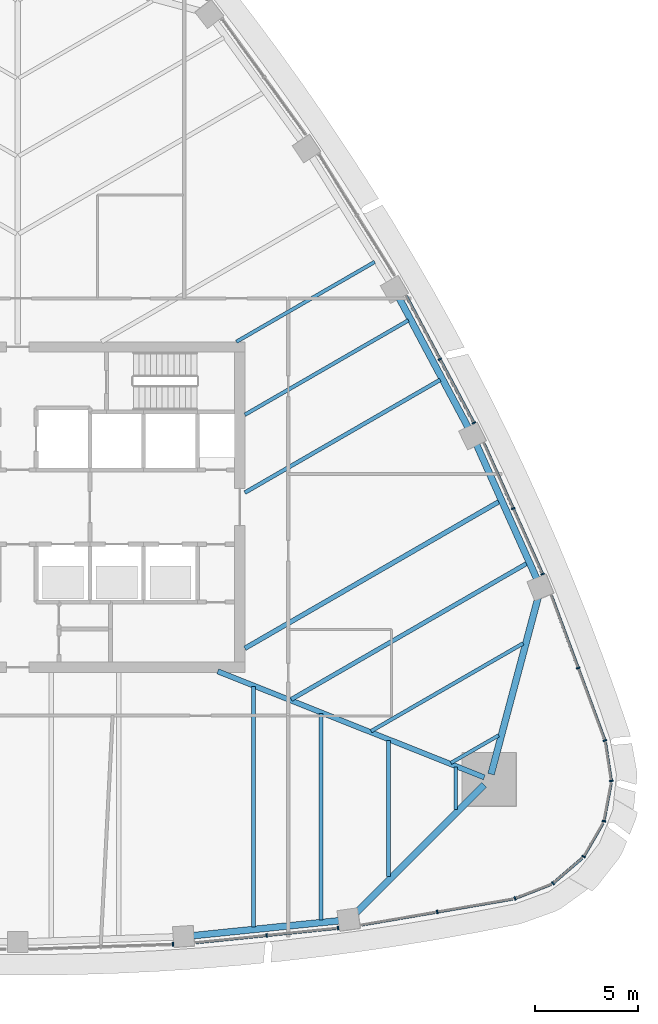
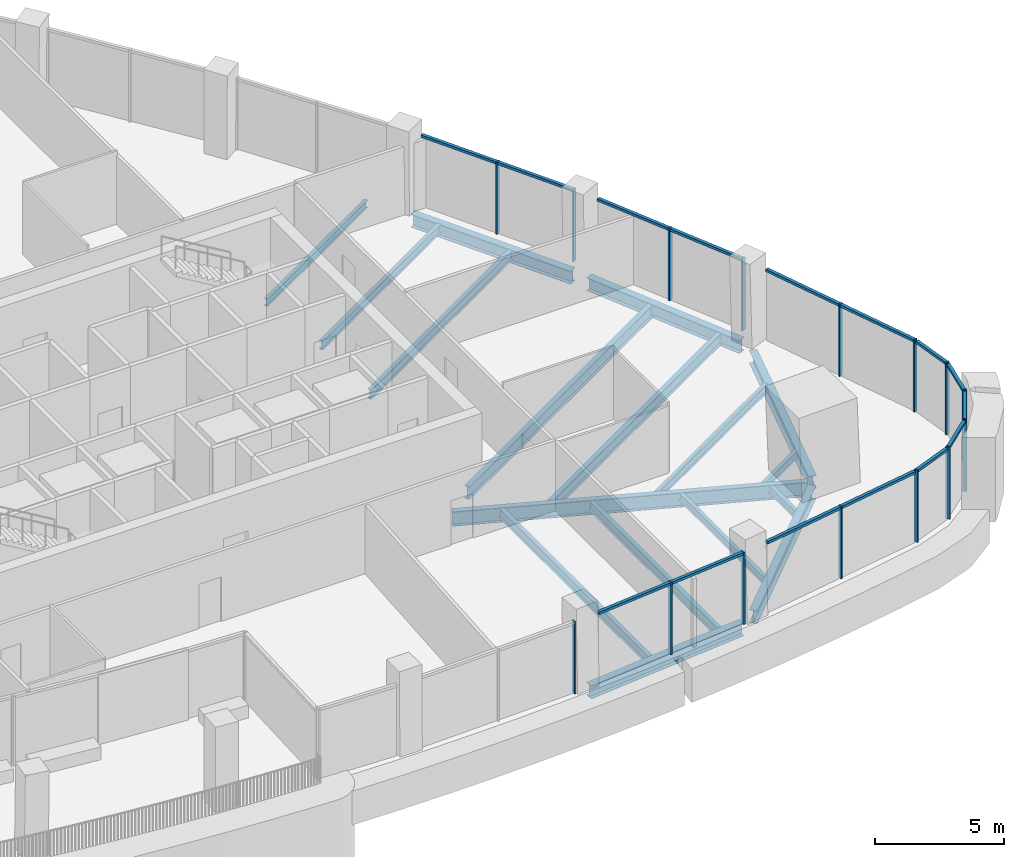
# One storey, part 4 of 18: 30 members, 17 beams, 11 elements without a shape of their own.
"""IFC4 building model written with IfcOpenShell, lengths in metres."""

import ifcopenshell
import ifcopenshell.guid

model = None  # the IFC model being written
_history = None  # IfcOwnerHistory: only IFC2X3 demands one
_inside = {}  # id of a spatial element -> (the spatial element, [elements in it])
_under = {}  # id of a project, library or spatial element -> (it, [spatial elements below it])
_declared = {}  # id of a project -> (the project, [libraries it declares])
_typed = {}  # id of a type object -> (the type object, [elements of that type])
_made_of = {}  # id of a material, layer set ... -> (it, [elements and type objects made of it])


def new_model(schema):
    """Start an empty IFC model of exactly this schema.

    Asked for "IFC4X3", IfcOpenShell would pick the latest addendum, in which some entities
    have other attributes; the version numbers below select the first issue.
    IFC2X3 requires an IfcOwnerHistory on every rooted entity: one is made here for all.
    """
    global model, _history
    if schema == "IFC4X3":
        model = ifcopenshell.file(schema_version=(4, 3, 0, 0))
    else:
        model = ifcopenshell.file(schema=schema)
    _inside.clear()
    _under.clear()
    _declared.clear()
    _typed.clear()
    _made_of.clear()
    _history = None
    if model.schema == "IFC2X3":
        org = make("IfcOrganization", Name="unknown")
        user = make(
            "IfcPersonAndOrganization",
            ThePerson=make("IfcPerson", FamilyName="unknown"),
            TheOrganization=org,
        )
        app = make(
            "IfcApplication",
            ApplicationDeveloper=org,
            Version="unknown",
            ApplicationFullName="unknown",
            ApplicationIdentifier="unknown",
        )
        _history = make(
            "IfcOwnerHistory",
            OwningUser=user,
            OwningApplication=app,
            ChangeAction="ADDED",
            CreationDate=0,
        )
    return model


def make(cls, **values):
    """One entity of the class cls with the attributes given. An attribute that is None is left unset."""
    return model.create_entity(
        cls, **{name: value for name, value in values.items() if value is not None}
    )


def rooted(cls, **values):
    """An entity with a GlobalId (a new one), such as an element, a storey or a relation."""
    return make(cls, GlobalId=ifcopenshell.guid.new(), OwnerHistory=_history, **values)


def si_unit(unit_type, name, prefix=None):
    """IfcSIUnit, for example si_unit("LENGTHUNIT", "METRE", prefix="MILLI")."""
    return make("IfcSIUnit", UnitType=unit_type, Prefix=prefix, Name=name)


def assignment(units):
    """IfcUnitAssignment: the units of a project."""
    return None if units is None else make("IfcUnitAssignment", Units=units)


def point(xyz):
    """IfcCartesianPoint."""
    return None if xyz is None else make("IfcCartesianPoint", Coordinates=xyz)


def direction(xyz):
    """IfcDirection."""
    return None if xyz is None else make("IfcDirection", DirectionRatios=xyz)


def frame(location, z_axis=None, x_axis=None):
    """IfcAxis2Placement3D, a coordinate frame: its origin and axes. An axis left out is left unset."""
    return make(
        "IfcAxis2Placement3D",
        Location=point(location),
        Axis=direction(z_axis),
        RefDirection=direction(x_axis),
    )


def frame_2d(location, x_axis=None):
    """IfcAxis2Placement2D, a coordinate frame in the plane: its origin and x axis."""
    return make(
        "IfcAxis2Placement2D", Location=point(location), RefDirection=direction(x_axis)
    )


def origin():
    """The frame at (0, 0, 0) with its axes left unset."""
    return frame((0.0, 0.0, 0.0))


def origin_2d():
    """The frame at (0, 0) in the plane with its x axis left unset."""
    return frame_2d((0.0, 0.0))


def place(relative_to, where):
    """IfcLocalPlacement: puts the frame where relative to a parent placement (None: the world)."""
    return make(
        "IfcLocalPlacement", PlacementRelTo=relative_to, RelativePlacement=where
    )


def context(
    kind, dimensions, precision=None, world=None, true_north=None, identifier=None
):
    """IfcGeometricRepresentationContext, for example the 3D "Model" context."""
    return make(
        "IfcGeometricRepresentationContext",
        ContextIdentifier=identifier,
        ContextType=kind,
        CoordinateSpaceDimension=dimensions,
        Precision=precision,
        WorldCoordinateSystem=world,
        TrueNorth=true_north,
    )


def subcontext(parent, identifier, kind, view, scale=None):
    """IfcGeometricRepresentationSubContext, for example "Body" below "Model"."""
    return make(
        "IfcGeometricRepresentationSubContext",
        ContextIdentifier=identifier,
        ContextType=kind,
        ParentContext=parent,
        TargetScale=scale,
        TargetView=view,
    )


def project(units=None, contexts=None):
    """IfcProject with its units and contexts."""
    return rooted(
        "IfcProject",
        Name="project",
        RepresentationContexts=contexts,
        UnitsInContext=assignment(units),
    )


def spatial(cls, under=None, at=None, **own):
    """A site, building, storey or space (cls), placed at a placement, below another one or the project."""
    s = rooted(cls, ObjectPlacement=at, **own)
    if under is not None:
        _under.setdefault(under.id(), (under, []))[1].append(s)
    return s


def profile(cls, at=None, kind="AREA", **sizes):
    """A parametric profile (cls). Its sizes go by their IFC names, for example OverallWidth=200.0."""
    return make(cls, ProfileType=kind, Position=at, **sizes)


def rectangle(**sizes):
    """IfcRectangleProfileDef."""
    return profile("IfcRectangleProfileDef", **sizes)


def i_section(**sizes):
    """IfcIShapeProfileDef."""
    return profile("IfcIShapeProfileDef", **sizes)


def extrude(swept, where, along, depth):
    """IfcExtrudedAreaSolid: the profile swept, set in the frame where, extruded along a direction by depth."""
    return make(
        "IfcExtrudedAreaSolid",
        SweptArea=swept,
        Position=where,
        ExtrudedDirection=direction(along),
        Depth=depth,
    )


def shape(context_of_items, identifier, shape_type, items):
    """IfcShapeRepresentation: the items that make up one representation, for example the "Body"."""
    return make(
        "IfcShapeRepresentation",
        ContextOfItems=context_of_items,
        RepresentationIdentifier=identifier,
        RepresentationType=shape_type,
        Items=items,
    )


def material(Name=None, Category=None):
    """IfcMaterial."""
    return make("IfcMaterial", Name=Name, Category=Category)


def layer(
    of_material, thickness, ventilated=None, Name=None, Category=None, Priority=None
):
    """IfcMaterialLayer: one layer of a wall or slab, of a material (None: an air gap)."""
    return make(
        "IfcMaterialLayer",
        Material=of_material,
        LayerThickness=thickness,
        IsVentilated=ventilated,
        Name=Name,
        Category=Category,
        Priority=Priority,
    )


def layer_set(layers, Name=None):
    """IfcMaterialLayerSet."""
    return make("IfcMaterialLayerSet", MaterialLayers=layers, LayerSetName=Name)


def material_profile(
    of_material, cross_section, Name=None, Category=None, Priority=None
):
    """IfcMaterialProfile: a cross section and its material."""
    return make(
        "IfcMaterialProfile",
        Name=Name,
        Material=of_material,
        Profile=cross_section,
        Priority=Priority,
        Category=Category,
    )


def profile_set(profiles, Name=None, composite=None):
    """IfcMaterialProfileSet."""
    return make(
        "IfcMaterialProfileSet",
        Name=Name,
        MaterialProfiles=profiles,
        CompositeProfile=composite,
    )


def made_of(thing, what):
    """Note that an element or type object is made of a material, layer set ...; save() writes the relation."""
    if what is not None:
        _made_of.setdefault(what.id(), (what, []))[1].append(thing)
    return thing


def type_object(cls, material=None, **own):
    """A type object (cls), such as IfcWallType, which elements share."""
    return made_of(rooted(cls, **own), material)


def element(
    cls,
    number,
    at=None,
    inside=None,
    cuts=None,
    type_object=None,
    material=None,
    context=None,
    identifier="Body",
    shape_type=None,
    held_by="IfcProductDefinitionShape",
    body=None,
    shapes=None,
    **own,
):
    """One element of the class cls, such as IfcWall. Its Tag is "e" and its number.

    at: its placement. inside: the storey or other place that contains it. cuts: it is an
    opening in that element (IfcRelVoidsElement). A single representation is given by context,
    identifier, shape_type and body (its items); several are given by shapes. held_by: the class
    of the entity that holds the representations. save() writes the other relations.
    """
    e = rooted(cls, Tag="e%d" % number, ObjectPlacement=at, **own)
    if body is not None:
        shapes = [shape(context, identifier, shape_type, body)]
    if shapes is not None:
        e.Representation = make(held_by, Representations=shapes)
    if inside is not None:
        _inside.setdefault(inside.id(), (inside, []))[1].append(e)
    if cuts is not None:
        rooted(
            "IfcRelVoidsElement", RelatingBuildingElement=cuts, RelatedOpeningElement=e
        )
    if type_object is not None:
        _typed.setdefault(type_object.id(), (type_object, []))[1].append(e)
    return made_of(e, material)


def aggregate(whole, parts):
    """IfcRelAggregates: a whole, such as a stair, and the parts it consists of."""
    return rooted("IfcRelAggregates", RelatingObject=whole, RelatedObjects=parts)


def save(model, path):
    """Write the relations noted so far, then the file.

    IfcRelAggregates (storeys below a building ...), IfcRelContainedInSpatialStructure (elements
    in a storey), IfcRelDefinesByType, IfcRelAssociatesMaterial and IfcRelDeclares: one each for
    every whole, place, type object, material and project.
    """
    for whole, parts in _under.values():
        aggregate(whole, parts)
    for where, things in _inside.values():
        rooted(
            "IfcRelContainedInSpatialStructure",
            RelatedElements=things,
            RelatingStructure=where,
        )
    for kind, things in _typed.values():
        rooted("IfcRelDefinesByType", RelatedObjects=things, RelatingType=kind)
    for what, things in _made_of.values():
        rooted("IfcRelAssociatesMaterial", RelatedObjects=things, RelatingMaterial=what)
    for by, libraries in _declared.values():
        rooted("IfcRelDeclares", RelatingContext=by, RelatedDefinitions=libraries)
    model.write(path)


model = new_model("IFC4")

# Units and contexts
model_context = context("Model", 3, precision=1e-05, world=origin(), true_north=direction((0.0, 1.0)))
body_context = subcontext(model_context, "Body", "Model", "MODEL_VIEW")
ifc_project = project(units=[si_unit("LENGTHUNIT", "METRE"), si_unit("AREAUNIT", "SQUARE_METRE"), si_unit("VOLUMEUNIT", "CUBIC_METRE"), si_unit("PLANEANGLEUNIT", "RADIAN"), si_unit("MASSUNIT", "GRAM", prefix="KILO")], contexts=[model_context])

# Site, building, storey
site_placement = place(None, origin())
site = spatial("IfcSite", under=ifc_project, at=site_placement, CompositionType="ELEMENT")
building_placement = place(site_placement, origin())
building = spatial("IfcBuilding", under=site, at=building_placement, Name="Sierra Prisma Convention Tower", CompositionType="ELEMENT")
storey_placement = place(building_placement, frame((0.0, 0.0, 205.800048828125)))
storey = spatial("IfcBuildingStorey", under=building, at=storey_placement, Name="L46", CompositionType="ELEMENT", Elevation=205.800048828125)

# Curtain wall, member
ifc_material_1 = material(Name="Aluminium and glass curtain wall", Category="aluminium")
ifc_layer = layer(ifc_material_1, 0.179931640625)
ifc_layer_set = layer_set([ifc_layer], Name="CW-1 Plain shaft curtain wall")
curtain_wall_type = type_object("IfcCurtainWallType", Name="CW-1 Plain shaft curtain wall", PredefinedType="NOTDEFINED", material=ifc_layer_set)
curtain_wall_1_placement = place(storey_placement, origin())
curtain_wall_1 = element("IfcCurtainWall", 1, at=curtain_wall_1_placement, inside=storey, type_object=curtain_wall_type, Name="CW-1 S4 L46", PredefinedType="NOTDEFINED")
ifc_material_2 = material(Name="Aluminium 6063-T6 bronze anodised", Category="aluminium")
ifc_material_profile_1 = material_profile(ifc_material_2, rectangle(XDim=0.179931640625, YDim=0.070068359375, at=origin_2d()), Name="ALU MULLION 70x180")
ifc_profile_set_1 = profile_set([ifc_material_profile_1], Name="Aluminium 6063-T6 bronze anodised")
member_type_1 = type_object("IfcMemberType", Name="CW mullion bronze", PredefinedType="MULLION", material=ifc_profile_set_1)
member_1_placement = place(storey_placement, frame((7.516845703125, -21.166259765625, 0.0), z_axis=(0.0, 0.0, 1.0), x_axis=(-0.033942935708, 0.999423772539, 0.0)))
member_1 = element("IfcMember", 2, at=member_1_placement, type_object=member_type_1, Name="CW-1 mullion S4.3", PredefinedType="MULLION", context=body_context, shape_type="SweptSolid", body=[
    extrude(rectangle(XDim=0.179931640625, YDim=0.070068359375, at=origin_2d()), origin(), (0.0, 0.0, 1.0), 3.39990234375),
])
aggregate(curtain_wall_1, [member_1])

# Curtain wall, members
curtain_wall_2_placement = place(storey_placement, origin())
curtain_wall_2 = element("IfcCurtainWall", 3, at=curtain_wall_2_placement, inside=storey, type_object=curtain_wall_type, Name="CW-1 S5 L46", PredefinedType="NOTDEFINED")
member_2_placement = place(storey_placement, frame((12.05517578125, -20.73974609375, 0.0), z_axis=(0.0, 0.0, 1.0), x_axis=(-0.101672381373, 0.994817936542, 0.0)))
member_2 = element("IfcMember", 4, at=member_2_placement, type_object=member_type_1, Name="CW-1 mullion S5.2", PredefinedType="MULLION", context=body_context, shape_type="SweptSolid", body=[
    extrude(rectangle(XDim=0.179931640625, YDim=0.070068359375, at=origin_2d()), origin(), (0.0, 0.0, 1.0), 3.39990234375),
])
member_3_placement = place(storey_placement, frame((15.51416015625, -20.38623046875, 0.0), z_axis=(0.0, 0.0, 1.0), x_axis=(-0.101672381373, 0.994817936542, 0.0)))
member_3 = element("IfcMember", 5, at=member_3_placement, type_object=member_type_1, Name="CW-1 mullion S5.3", PredefinedType="MULLION", context=body_context, shape_type="SweptSolid", body=[
    extrude(rectangle(XDim=0.179931640625, YDim=0.070068359375, at=origin_2d()), origin(), (0.0, 0.0, 1.0), 3.39990234375),
])

# Curtain wall, member
curtain_wall_3_placement = place(storey_placement, origin())
curtain_wall_3 = element("IfcCurtainWall", 6, at=curtain_wall_3_placement, inside=storey, type_object=curtain_wall_type, Name="CW-1 S6 L46", PredefinedType="NOTDEFINED")
member_4_placement = place(storey_placement, frame((20.3134765625, -19.603515625, 0.0), z_axis=(0.0, 0.0, 1.0), x_axis=(-0.168933270748, 0.985627490503, 0.0)))
member_4 = element("IfcMember", 7, at=member_4_placement, type_object=member_type_1, Name="CW-1 mullion S6.2", PredefinedType="MULLION", context=body_context, shape_type="SweptSolid", body=[
    extrude(rectangle(XDim=0.179931640625, YDim=0.070068359375, at=origin_2d()), origin(), (0.0, 0.0, 1.0), 3.39990234375),
])

curtain_wall_4_placement = place(storey_placement, origin())
curtain_wall_4 = element("IfcCurtainWall", 8, at=curtain_wall_4_placement, inside=storey, type_object=curtain_wall_type, Name="CW-1 SE1 L46", PredefinedType="NOTDEFINED")
member_5_placement = place(storey_placement, frame((24.075927734375, -18.951416015625, 0.0), z_axis=(0.0, 0.0, 1.0), x_axis=(-0.363849089261, 0.93145791115, 0.0)))
member_5 = element("IfcMember", 9, at=member_5_placement, type_object=member_type_1, Name="CW-1 mullion SE1.1", PredefinedType="MULLION", context=body_context, shape_type="SweptSolid", body=[
    extrude(rectangle(XDim=0.179931640625, YDim=0.070068359375, at=origin_2d()), origin(), (0.0, 0.0, 1.0), 3.39990234375),
])

curtain_wall_5_placement = place(storey_placement, origin())
curtain_wall_5 = element("IfcCurtainWall", 10, at=curtain_wall_5_placement, inside=storey, type_object=curtain_wall_type, Name="CW-1 SE2 L46", PredefinedType="NOTDEFINED")
member_6_placement = place(storey_placement, frame((25.9130859375, -18.221435546875, 0.0), z_axis=(0.0, 0.0, 1.0), x_axis=(-0.651679982386, 0.758494034622, 0.0)))
member_6 = element("IfcMember", 11, at=member_6_placement, type_object=member_type_1, Name="CW-1 mullion SE2.1", PredefinedType="MULLION", context=body_context, shape_type="SweptSolid", body=[
    extrude(rectangle(XDim=0.179931640625, YDim=0.070068359375, at=origin_2d()), origin(), (0.0, 0.0, 1.0), 3.39990234375),
])

curtain_wall_6_placement = place(storey_placement, origin())
curtain_wall_6 = element("IfcCurtainWall", 12, at=curtain_wall_6_placement, inside=storey, type_object=curtain_wall_type, Name="CW-1 SE3 L46", PredefinedType="NOTDEFINED")
member_7_placement = place(storey_placement, frame((27.40478515625, -16.92431640625, 0.0), z_axis=(0.0, 0.0, 1.0), x_axis=(-0.866025403784, 0.5, 0.0)))
member_7 = element("IfcMember", 13, at=member_7_placement, type_object=member_type_1, Name="CW-1 mullion SE3.1", PredefinedType="MULLION", context=body_context, shape_type="SweptSolid", body=[
    extrude(rectangle(XDim=0.179931640625, YDim=0.070068359375, at=origin_2d()), origin(), (0.0, 0.0, 1.0), 3.39990234375),
])

curtain_wall_7_placement = place(storey_placement, origin())
curtain_wall_7 = element("IfcCurtainWall", 14, at=curtain_wall_7_placement, inside=storey, type_object=curtain_wall_type, Name="CW-1 SE4 L46", PredefinedType="NOTDEFINED")
member_8_placement = place(storey_placement, frame((28.38330078125, -15.20654296875, 0.0), z_axis=(0.0, 0.0, 1.0), x_axis=(-0.982715093795, 0.185124402573, 0.0)))
member_8 = element("IfcMember", 15, at=member_8_placement, type_object=member_type_1, Name="CW-1 mullion SE4.1", PredefinedType="MULLION", context=body_context, shape_type="SweptSolid", body=[
    extrude(rectangle(XDim=0.179931640625, YDim=0.070068359375, at=origin_2d()), origin(), (0.0, 0.0, 1.0), 3.39990234375),
])

curtain_wall_8_placement = place(storey_placement, origin())
curtain_wall_8 = element("IfcCurtainWall", 16, at=curtain_wall_8_placement, inside=storey, type_object=curtain_wall_type, Name="CW-1 SE5 L46", PredefinedType="NOTDEFINED")
member_9_placement = place(storey_placement, frame((28.73779296875, -13.26171875, 0.0), z_axis=(0.0, 0.0, 1.0), x_axis=(-0.988590758242, -0.150626401132, 0.0)))
member_9 = element("IfcMember", 17, at=member_9_placement, type_object=member_type_1, Name="CW-1 mullion SE5.1", PredefinedType="MULLION", context=body_context, shape_type="SweptSolid", body=[
    extrude(rectangle(XDim=0.179931640625, YDim=0.070068359375, at=origin_2d()), origin(), (0.0, 0.0, 1.0), 3.39990234375),
])

# Curtain wall, members
curtain_wall_9_placement = place(storey_placement, origin())
curtain_wall_9 = element("IfcCurtainWall", 18, at=curtain_wall_9_placement, inside=storey, type_object=curtain_wall_type, Name="CW-1 NE1 L46", PredefinedType="NOTDEFINED")
member_10_placement = place(storey_placement, frame((28.432861328125, -11.30712890625, 0.0), z_axis=(0.0, 0.0, 1.0), x_axis=(-0.938045080817, -0.34651324124, 0.0)))
member_10 = element("IfcMember", 19, at=member_10_placement, type_object=member_type_1, Name="CW-1 mullion NE1.1", PredefinedType="MULLION", context=body_context, shape_type="SweptSolid", body=[
    extrude(rectangle(XDim=0.179931640625, YDim=0.070068359375, at=origin_2d()), origin(), (0.0, 0.0, 1.0), 3.39990234375),
])
member_11_placement = place(storey_placement, frame((27.1337890625, -7.790283203125, 0.0), z_axis=(0.0, 0.0, 1.0), x_axis=(-0.938045080817, -0.34651324124, 0.0)))
member_11 = element("IfcMember", 20, at=member_11_placement, type_object=member_type_1, Name="CW-1 mullion NE1.2", PredefinedType="MULLION", context=body_context, shape_type="SweptSolid", body=[
    extrude(rectangle(XDim=0.179931640625, YDim=0.070068359375, at=origin_2d()), origin(), (0.0, 0.0, 1.0), 3.39990234375),
])

curtain_wall_10_placement = place(storey_placement, origin())
curtain_wall_10 = element("IfcCurtainWall", 21, at=curtain_wall_10_placement, inside=storey, type_object=curtain_wall_type, Name="CW-1 NE2 L46", PredefinedType="NOTDEFINED")
member_12_placement = place(storey_placement, frame((25.412109375, -3.242919921875, 0.0), z_axis=(0.0, 0.0, 1.0), x_axis=(-0.912373795873, -0.409358103138, 0.0)))
member_12 = element("IfcMember", 22, at=member_12_placement, type_object=member_type_1, Name="CW-1 mullion NE2.1", PredefinedType="MULLION", context=body_context, shape_type="SweptSolid", body=[
    extrude(rectangle(XDim=0.179931640625, YDim=0.070068359375, at=origin_2d()), origin(), (0.0, 0.0, 1.0), 3.39990234375),
])
member_13_placement = place(storey_placement, frame((23.98876953125, -0.0703125, 0.0), z_axis=(0.0, 0.0, 1.0), x_axis=(-0.912373795873, -0.409358103138, 0.0)))
member_13 = element("IfcMember", 23, at=member_13_placement, type_object=member_type_1, Name="CW-1 mullion NE2.2", PredefinedType="MULLION", context=body_context, shape_type="SweptSolid", body=[
    extrude(rectangle(XDim=0.179931640625, YDim=0.070068359375, at=origin_2d()), origin(), (0.0, 0.0, 1.0), 3.39990234375),
])

curtain_wall_11_placement = place(storey_placement, origin())
curtain_wall_11 = element("IfcCurtainWall", 24, at=curtain_wall_11_placement, inside=storey, type_object=curtain_wall_type, Name="CW-1 NE3 L46", PredefinedType="NOTDEFINED")
member_14_placement = place(storey_placement, frame((22.0888671875, 4.0732421875, 0.0), z_axis=(0.0, 0.0, 1.0), x_axis=(-0.882497844018, -0.470316441668, 0.0)))
member_14 = element("IfcMember", 25, at=member_14_placement, type_object=member_type_1, Name="CW-1 mullion NE3.1", PredefinedType="MULLION", context=body_context, shape_type="SweptSolid", body=[
    extrude(rectangle(XDim=0.179931640625, YDim=0.070068359375, at=origin_2d()), origin(), (0.0, 0.0, 1.0), 3.39990234375),
])
member_15_placement = place(storey_placement, frame((20.446044921875, 7.15576171875, 0.0), z_axis=(0.0, 0.0, 1.0), x_axis=(-0.882497844018, -0.470316441668, 0.0)))
member_15 = element("IfcMember", 26, at=member_15_placement, type_object=member_type_1, Name="CW-1 mullion NE3.2", PredefinedType="MULLION", context=body_context, shape_type="SweptSolid", body=[
    extrude(rectangle(XDim=0.179931640625, YDim=0.070068359375, at=origin_2d()), origin(), (0.0, 0.0, 1.0), 3.39990234375),
])

# Member
ifc_material_3 = material(Name="Aluminium 6063-T6 bronze anodised", Category="aluminium")
ifc_material_profile_2 = material_profile(ifc_material_3, rectangle(XDim=0.139892578125, YDim=0.1201171875, at=origin_2d()), Name="ALU TRANSOM 120x140")
ifc_profile_set_2 = profile_set([ifc_material_profile_2], Name="Aluminium 6063-T6 bronze anodised")
member_type_2 = type_object("IfcMemberType", Name="CW transom bronze", PredefinedType="USERDEFINED", material=ifc_profile_set_2)
member_16_placement = place(storey_placement, frame((8.630859375, -21.089599609375, 3.33984375), z_axis=(0.994816996798, 0.101681575917, 0.0), x_axis=(-0.101681575917, 0.994816996798, 0.0)))
member_16 = element("IfcMember", 27, at=member_16_placement, type_object=member_type_2, Name="CW-1 transom S5.1", ObjectType="TRANSOM", PredefinedType="USERDEFINED", context=body_context, shape_type="SweptSolid", body=[
    extrude(rectangle(XDim=0.139892578125, YDim=0.1201171875, at=origin_2d()), origin(), (0.0, 0.0, 1.0), 3.406982421875),
])

member_17_placement = place(storey_placement, frame((12.090087890625, -20.736083984375, 3.33984375), z_axis=(0.994816996798, 0.101681575917, 0.0), x_axis=(-0.101681575917, 0.994816996798, 0.0)))
member_17 = element("IfcMember", 28, at=member_17_placement, type_object=member_type_2, Name="CW-1 transom S5.2", ObjectType="TRANSOM", PredefinedType="USERDEFINED", context=body_context, shape_type="SweptSolid", body=[
    extrude(rectangle(XDim=0.139892578125, YDim=0.1201171875, at=origin_2d()), origin(), (0.0, 0.0, 1.0), 3.406982421875),
])

aggregate(curtain_wall_2, [member_2, member_3, member_16, member_17])

member_18_placement = place(storey_placement, frame((16.652587890625, -20.23095703125, 3.33984375), z_axis=(0.985624780646, 0.168949080423, 0.0), x_axis=(-0.168949080423, 0.985624780646, 0.0)))
member_18 = element("IfcMember", 29, at=member_18_placement, type_object=member_type_2, Name="CW-1 transom S6.1", ObjectType="TRANSOM", PredefinedType="USERDEFINED", context=body_context, shape_type="SweptSolid", body=[
    extrude(rectangle(XDim=0.139892578125, YDim=0.1201171875, at=origin_2d()), origin(), (0.0, 0.0, 1.0), 3.67919921875),
])

member_19_placement = place(storey_placement, frame((20.347900390625, -19.59765625, 3.33984375), z_axis=(0.985626674588, 0.168938031069, 0.0), x_axis=(-0.168938031069, 0.985626674588, 0.0)))
member_19 = element("IfcMember", 30, at=member_19_placement, type_object=member_type_2, Name="CW-1 transom S6.2", ObjectType="TRANSOM", PredefinedType="USERDEFINED", context=body_context, shape_type="SweptSolid", body=[
    extrude(rectangle(XDim=0.139892578125, YDim=0.1201171875, at=origin_2d()), origin(), (0.0, 0.0, 1.0), 3.679443359375),
])

aggregate(curtain_wall_3, [member_4, member_18, member_19])

member_20_placement = place(storey_placement, frame((24.1083984375, -18.938720703125, 3.33984375), z_axis=(0.931440475848, 0.363893720681, 0.0), x_axis=(-0.363893720681, 0.931440475848, 0.0)))
member_20 = element("IfcMember", 31, at=member_20_placement, type_object=member_type_2, Name="CW-1 transom SE1.1", ObjectType="TRANSOM", PredefinedType="USERDEFINED", context=body_context, shape_type="SweptSolid", body=[
    extrude(rectangle(XDim=0.139892578125, YDim=0.1201171875, at=origin_2d()), origin(), (0.0, 0.0, 1.0), 1.8388671875),
])

aggregate(curtain_wall_4, [member_5, member_20])

member_21_placement = place(storey_placement, frame((25.939453125, -18.198486328125, 3.33984375), z_axis=(0.758525097638, 0.651643826222, 0.0), x_axis=(-0.651643826222, 0.758525097638, 0.0)))
member_21 = element("IfcMember", 32, at=member_21_placement, type_object=member_type_2, Name="CW-1 transom SE2.1", ObjectType="TRANSOM", PredefinedType="USERDEFINED", context=body_context, shape_type="SweptSolid", body=[
    extrude(rectangle(XDim=0.139892578125, YDim=0.1201171875, at=origin_2d()), origin(), (0.0, 0.0, 1.0), 1.8388671875),
])

aggregate(curtain_wall_5, [member_6, member_21])

member_22_placement = place(storey_placement, frame((27.42236328125, -16.89404296875, 3.33984375), z_axis=(0.499994443168, 0.866028611999, 0.0), x_axis=(-0.866028611999, 0.499994443168, 0.0)))
member_22 = element("IfcMember", 33, at=member_22_placement, type_object=member_type_2, Name="CW-1 transom SE3.1", ObjectType="TRANSOM", PredefinedType="USERDEFINED", context=body_context, shape_type="SweptSolid", body=[
    extrude(rectangle(XDim=0.139892578125, YDim=0.1201171875, at=origin_2d()), origin(), (0.0, 0.0, 1.0), 1.8388671875),
])

aggregate(curtain_wall_6, [member_7, member_22])

member_23_placement = place(storey_placement, frame((28.3896484375, -15.172119140625, 3.33984375), z_axis=(0.185202255127, 0.982700424695, 0.0), x_axis=(-0.982700424695, 0.185202255127, 0.0)))
member_23 = element("IfcMember", 34, at=member_23_placement, type_object=member_type_2, Name="CW-1 transom SE4.1", ObjectType="TRANSOM", PredefinedType="USERDEFINED", context=body_context, shape_type="SweptSolid", body=[
    extrude(rectangle(XDim=0.139892578125, YDim=0.1201171875, at=origin_2d()), origin(), (0.0, 0.0, 1.0), 1.8388671875),
])

aggregate(curtain_wall_7, [member_8, member_23])

member_24_placement = place(storey_placement, frame((28.732666015625, -13.22705078125, 3.33984375), z_axis=(-0.15069023229, 0.988581030514, 0.0), x_axis=(-0.988581030514, -0.15069023229, 0.0)))
member_24 = element("IfcMember", 35, at=member_24_placement, type_object=member_type_2, Name="CW-1 transom SE5.1", ObjectType="TRANSOM", PredefinedType="USERDEFINED", context=body_context, shape_type="SweptSolid", body=[
    extrude(rectangle(XDim=0.139892578125, YDim=0.1201171875, at=origin_2d()), origin(), (0.0, 0.0, 1.0), 1.8388671875),
])

aggregate(curtain_wall_8, [member_9, member_24])

member_25_placement = place(storey_placement, frame((28.4208984375, -11.2744140625, 3.33984375), z_axis=(-0.346501646582, 0.938049363795, 0.0), x_axis=(-0.938049363795, -0.346501646582, 0.0)))
member_25 = element("IfcMember", 36, at=member_25_placement, type_object=member_type_2, Name="CW-1 transom NE1.1", ObjectType="TRANSOM", PredefinedType="USERDEFINED", context=body_context, shape_type="SweptSolid", body=[
    extrude(rectangle(XDim=0.139892578125, YDim=0.1201171875, at=origin_2d()), origin(), (0.0, 0.0, 1.0), 3.679443359375),
])

member_26_placement = place(storey_placement, frame((27.12158203125, -7.75732421875, 3.33984375), z_axis=(-0.346501646582, 0.938049363795, 0.0), x_axis=(-0.938049363795, -0.346501646582, 0.0)))
member_26 = element("IfcMember", 37, at=member_26_placement, type_object=member_type_2, Name="CW-1 transom NE1.2", ObjectType="TRANSOM", PredefinedType="USERDEFINED", context=body_context, shape_type="SweptSolid", body=[
    extrude(rectangle(XDim=0.139892578125, YDim=0.1201171875, at=origin_2d()), origin(), (0.0, 0.0, 1.0), 3.679443359375),
])

aggregate(curtain_wall_9, [member_10, member_11, member_25, member_26])

member_27_placement = place(storey_placement, frame((25.397705078125, -3.2109375, 3.33984375), z_axis=(-0.409360376146, 0.912372776031, 0.0), x_axis=(-0.912372776031, -0.409360376146, 0.0)))
member_27 = element("IfcMember", 38, at=member_27_placement, type_object=member_type_2, Name="CW-1 transom NE2.1", ObjectType="TRANSOM", PredefinedType="USERDEFINED", context=body_context, shape_type="SweptSolid", body=[
    extrude(rectangle(XDim=0.139892578125, YDim=0.1201171875, at=origin_2d()), origin(), (0.0, 0.0, 1.0), 3.4072265625),
])

member_28_placement = place(storey_placement, frame((23.974365234375, -0.03857421875, 3.33984375), z_axis=(-0.409360376146, 0.912372776031, 0.0), x_axis=(-0.912372776031, -0.409360376146, 0.0)))
member_28 = element("IfcMember", 39, at=member_28_placement, type_object=member_type_2, Name="CW-1 transom NE2.2", ObjectType="TRANSOM", PredefinedType="USERDEFINED", context=body_context, shape_type="SweptSolid", body=[
    extrude(rectangle(XDim=0.139892578125, YDim=0.1201171875, at=origin_2d()), origin(), (0.0, 0.0, 1.0), 3.4072265625),
])

aggregate(curtain_wall_10, [member_12, member_13, member_27, member_28])

member_29_placement = place(storey_placement, frame((22.072509765625, 4.10400390625, 3.33984375), z_axis=(-0.470340208798, 0.882485177206, 0.0), x_axis=(-0.882485177206, -0.470340208798, 0.0)))
member_29 = element("IfcMember", 40, at=member_29_placement, type_object=member_type_2, Name="CW-1 transom NE3.1", ObjectType="TRANSOM", PredefinedType="USERDEFINED", context=body_context, shape_type="SweptSolid", body=[
    extrude(rectangle(XDim=0.139892578125, YDim=0.1201171875, at=origin_2d()), origin(), (0.0, 0.0, 1.0), 3.42333984375),
])

member_30_placement = place(storey_placement, frame((20.429443359375, 7.186767578125, 3.33984375), z_axis=(-0.470284665202, 0.882514778163, 0.0), x_axis=(-0.882514778163, -0.470284665202, 0.0)))
member_30 = element("IfcMember", 41, at=member_30_placement, type_object=member_type_2, Name="CW-1 transom NE3.2", ObjectType="TRANSOM", PredefinedType="USERDEFINED", context=body_context, shape_type="SweptSolid", body=[
    extrude(rectangle(XDim=0.139892578125, YDim=0.1201171875, at=origin_2d()), origin(), (0.0, 0.0, 1.0), 3.423095703125),
])

aggregate(curtain_wall_11, [member_14, member_15, member_29, member_30])

# Beams
ifc_material_4 = material(Name="Steel ASTM A992 Gr 50", Category="steel")
ifc_material_profile_3 = material_profile(ifc_material_4, i_section(OverallWidth=0.172119140625, OverallDepth=0.35791015625, WebThickness=0.0078125, FlangeThickness=0.01318359375, at=origin_2d()), Name="W360x57")
ifc_profile_set_3 = profile_set([ifc_material_profile_3], Name="Steel ASTM A992 Gr 50")
beam_type_1 = type_object("IfcBeamType", Name="Floor joist W360x57", PredefinedType="JOIST", material=ifc_profile_set_3)
beam_1_placement = place(storey_placement, frame((17.95458984375, -17.8955078125, -0.3291015625), z_axis=(0.0, 1.0, 0.0), x_axis=(-1.0, 0.0, 0.0)))
element("IfcBeam", 42, at=beam_1_placement, inside=storey, type_object=beam_type_1, Name="Floor joist L46 S13", PredefinedType="JOIST", context=body_context, shape_type="SweptSolid", body=[
    extrude(i_section(OverallWidth=0.172119140625, OverallDepth=0.35791015625, WebThickness=0.0078125, FlangeThickness=0.01318359375, at=origin_2d()), origin(), (0.0, 0.0, 1.0), 6.59619140625),
])
beam_2_placement = place(storey_placement, frame((21.218994140625, -14.640869140625, -0.3291015625), z_axis=(0.0, 1.0, 0.0), x_axis=(-1.0, 0.0, 0.0)))
element("IfcBeam", 43, at=beam_2_placement, inside=storey, type_object=beam_type_1, Name="Floor joist L46 S14", PredefinedType="JOIST", context=body_context, shape_type="SweptSolid", body=[
    extrude(i_section(OverallWidth=0.172119140625, OverallDepth=0.35791015625, WebThickness=0.0078125, FlangeThickness=0.01318359375, at=origin_2d()), origin(), (0.0, 0.0, 1.0), 2.04248046875),
])
beam_3_placement = place(storey_placement, frame((23.288818359375, -11.0556640625, -0.3291015625), z_axis=(-0.866013662025, -0.500020336772, 0.0), x_axis=(0.500020336772, -0.866013662025, 0.0)))
element("IfcBeam", 44, at=beam_3_placement, inside=storey, type_object=beam_type_1, Name="Floor joist L46 NE01", PredefinedType="JOIST", context=body_context, shape_type="SweptSolid", body=[
    extrude(i_section(OverallWidth=0.172119140625, OverallDepth=0.35791015625, WebThickness=0.0078125, FlangeThickness=0.01318359375, at=origin_2d()), origin(), (0.0, 0.0, 1.0), 2.67236328125),
])
beam_4_placement = place(storey_placement, frame((17.286865234375, 11.865234375, -0.3291015625), z_axis=(-0.866026758741, -0.499997653139, 0.0), x_axis=(0.499997653139, -0.866026758741, 0.0)))
element("IfcBeam", 45, at=beam_4_placement, inside=storey, type_object=beam_type_1, Name="Floor joist L46 NE08", PredefinedType="JOIST", context=body_context, shape_type="SweptSolid", body=[
    extrude(i_section(OverallWidth=0.172119140625, OverallDepth=0.35791015625, WebThickness=0.0078125, FlangeThickness=0.01318359375, at=origin_2d()), origin(), (0.0, 0.0, 1.0), 7.73046875),
])
ifc_material_5 = material(Name="Steel ASTM A992 Gr 50", Category="steel")
ifc_material_profile_4 = material_profile(ifc_material_5, i_section(OverallWidth=0.177978515625, OverallDepth=0.406982421875, WebThickness=0.0078125, FlangeThickness=0.0126953125, at=origin_2d()), Name="W410x60")
ifc_profile_set_4 = profile_set([ifc_material_profile_4], Name="Steel ASTM A992 Gr 50")
beam_type_2 = type_object("IfcBeamType", Name="Floor joist W410x60", PredefinedType="JOIST", material=ifc_profile_set_4)
beam_5_placement = place(storey_placement, frame((24.475341796875, -6.601318359375, -0.353515625), z_axis=(-0.866033577695, -0.499985842104, 0.0), x_axis=(0.499985842104, -0.866033577695, 0.0)))
element("IfcBeam", 46, at=beam_5_placement, inside=storey, type_object=beam_type_2, Name="Floor joist L46 NE02", PredefinedType="JOIST", context=body_context, shape_type="SweptSolid", body=[
    extrude(i_section(OverallWidth=0.177978515625, OverallDepth=0.406982421875, WebThickness=0.0078125, FlangeThickness=0.0126953125, at=origin_2d()), origin(), (0.0, 0.0, 1.0), 8.505126953125),
])
beam_6_placement = place(storey_placement, frame((18.9189453125, 9.0380859375, -0.353515625), z_axis=(-0.866024633014, -0.500001335012, 0.0), x_axis=(0.500001335012, -0.866024633014, 0.0)))
element("IfcBeam", 47, at=beam_6_placement, inside=storey, type_object=beam_type_2, Name="Floor joist L46 NE07", PredefinedType="JOIST", context=body_context, shape_type="SweptSolid", body=[
    extrude(i_section(OverallWidth=0.177978515625, OverallDepth=0.406982421875, WebThickness=0.0078125, FlangeThickness=0.0126953125, at=origin_2d()), origin(), (0.0, 0.0, 1.0), 9.14404296875),
])
ifc_material_6 = material(Name="Steel ASTM A992 Gr 50", Category="steel")
ifc_material_profile_5 = material_profile(ifc_material_6, i_section(OverallWidth=0.18994140625, OverallDepth=0.45703125, WebThickness=0.009033203125, FlangeThickness=0.014404296875, at=origin_2d()), Name="W460x74")
ifc_profile_set_5 = profile_set([ifc_material_profile_5], Name="Steel ASTM A992 Gr 50")
beam_type_3 = type_object("IfcBeamType", Name="Floor joist W460x74", PredefinedType="JOIST", material=ifc_profile_set_5)
beam_7_placement = place(storey_placement, frame((11.425537109375, -20.339111328125, -0.378662109375), z_axis=(0.0, 1.0, 0.0), x_axis=(-1.0, 0.0, 0.0)))
element("IfcBeam", 48, at=beam_7_placement, inside=storey, type_object=beam_type_3, Name="Floor joist L46 S11", PredefinedType="JOIST", context=body_context, shape_type="SweptSolid", body=[
    extrude(i_section(OverallWidth=0.18994140625, OverallDepth=0.45703125, WebThickness=0.009033203125, FlangeThickness=0.014404296875, at=origin_2d()), origin(), (0.0, 0.0, 1.0), 11.6376953125),
])
beam_8_placement = place(storey_placement, frame((14.68994140625, -20.00537109375, -0.378662109375), z_axis=(0.0, 1.0, 0.0), x_axis=(-1.0, 0.0, 0.0)))
element("IfcBeam", 49, at=beam_8_placement, inside=storey, type_object=beam_type_3, Name="Floor joist L46 S12", PredefinedType="JOIST", context=body_context, shape_type="SweptSolid", body=[
    extrude(i_section(OverallWidth=0.18994140625, OverallDepth=0.45703125, WebThickness=0.009033203125, FlangeThickness=0.014404296875, at=origin_2d()), origin(), (0.0, 0.0, 1.0), 10.0048828125),
])
beam_9_placement = place(storey_placement, frame((20.455322265625, 6.155517578125, -0.378662109375), z_axis=(-0.866027326522, -0.499996669706, 0.0), x_axis=(0.499996669706, -0.866027326522, 0.0)))
element("IfcBeam", 50, at=beam_9_placement, inside=storey, type_object=beam_type_3, Name="Floor joist L46 NE06", PredefinedType="JOIST", context=body_context, shape_type="SweptSolid", body=[
    extrude(i_section(OverallWidth=0.18994140625, OverallDepth=0.45703125, WebThickness=0.009033203125, FlangeThickness=0.014404296875, at=origin_2d()), origin(), (0.0, 0.0, 1.0), 10.91796875),
])
ifc_material_7 = material(Name="Steel ASTM A992 Gr 50", Category="steel")
ifc_material_profile_6 = material_profile(ifc_material_7, i_section(OverallWidth=0.208984375, OverallDepth=0.532958984375, WebThickness=0.01025390625, FlangeThickness=0.015625, at=origin_2d()), Name="W530x92")
ifc_profile_set_6 = profile_set([ifc_material_profile_6], Name="Steel ASTM A992 Gr 50")
beam_type_4 = type_object("IfcBeamType", Name="Floor joist W530x92", PredefinedType="JOIST", material=ifc_profile_set_6)
beam_10_placement = place(storey_placement, frame((24.670166015625, -2.71923828125, -0.41650390625), z_axis=(-0.866025344474, -0.500000102728, 0.0), x_axis=(0.500000102728, -0.866025344474, 0.0)))
element("IfcBeam", 51, at=beam_10_placement, inside=storey, type_object=beam_type_4, Name="Floor joist L46 NE03", PredefinedType="JOIST", context=body_context, shape_type="SweptSolid", body=[
    extrude(i_section(OverallWidth=0.208984375, OverallDepth=0.532958984375, WebThickness=0.01025390625, FlangeThickness=0.015625, at=origin_2d()), origin(), (0.0, 0.0, 1.0), 13.193359375),
])
ifc_material_8 = material(Name="Steel ASTM A992 Gr 50", Category="steel")
ifc_material_profile_7 = material_profile(ifc_material_8, i_section(OverallWidth=0.22802734375, OverallDepth=0.60302734375, WebThickness=0.010498046875, FlangeThickness=0.014892578125, at=origin_2d()), Name="W610x101")
ifc_profile_set_7 = profile_set([ifc_material_profile_7], Name="Steel ASTM A992 Gr 50")
beam_type_5 = type_object("IfcBeamType", Name="Floor joist W610x101", PredefinedType="JOIST", material=ifc_profile_set_7)
beam_11_placement = place(storey_placement, frame((23.326904296875, 0.274658203125, -0.45166015625), z_axis=(-0.866025347648, -0.500000097231, 0.0), x_axis=(0.500000097231, -0.866025347648, 0.0)))
element("IfcBeam", 52, at=beam_11_placement, inside=storey, type_object=beam_type_5, Name="Floor joist L46 NE04", PredefinedType="JOIST", context=body_context, shape_type="SweptSolid", body=[
    extrude(i_section(OverallWidth=0.22802734375, OverallDepth=0.60302734375, WebThickness=0.010498046875, FlangeThickness=0.014892578125, at=origin_2d()), origin(), (0.0, 0.0, 1.0), 14.23388671875),
])
ifc_material_9 = material(Name="Steel ASTM A992 Gr 50", Category="steel")
ifc_material_profile_8 = material_profile(ifc_material_9, i_section(OverallWidth=0.25390625, OverallDepth=0.68408203125, WebThickness=0.012451171875, FlangeThickness=0.018798828125, at=origin_2d()), Name="W690x140")
ifc_profile_set_8 = profile_set([ifc_material_profile_8], Name="Steel ASTM A992 Gr 50")
beam_type_6 = type_object("IfcBeamType", Name="Radial girder W690x140", PredefinedType="BEAM", material=ifc_profile_set_8)
beam_12_placement = place(storey_placement, frame((22.591064453125, -13.089599609375, -0.491943359375), z_axis=(-0.929145686033, 0.369713800291, 0.0), x_axis=(-0.369713800291, -0.929145686033, 0.0)))
element("IfcBeam", 53, at=beam_12_placement, inside=storey, type_object=beam_type_6, Name="Radial girder L46 SE", PredefinedType="BEAM", context=body_context, shape_type="SweptSolid", body=[
    extrude(i_section(OverallWidth=0.25390625, OverallDepth=0.68408203125, WebThickness=0.012451171875, FlangeThickness=0.018798828125, at=origin_2d()), origin(), (0.0, 0.0, 1.0), 13.886474609375),
])
ifc_material_10 = material(Name="Steel ASTM A992 Gr 50", Category="steel")
ifc_material_profile_9 = material_profile(ifc_material_10, i_section(OverallWidth=0.324951171875, OverallDepth=0.615966796875, WebThickness=0.013916015625, FlangeThickness=0.021484375, at=origin_2d()), Name="W610x174")
ifc_profile_set_9 = profile_set([ifc_material_profile_9], Name="Steel ASTM A992 Gr 50")
beam_type_7 = type_object("IfcBeamType", Name="Spandrel beam W610x174", PredefinedType="BEAM", material=ifc_profile_set_9)
beam_13_placement = place(storey_placement, frame((8.41845703125, -20.759765625, -0.4580078125), z_axis=(0.994816443907, 0.101686985069, 0.0), x_axis=(-0.101686985069, 0.994816443907, 0.0)))
element("IfcBeam", 54, at=beam_13_placement, inside=storey, type_object=beam_type_7, Name="Spandrel L46-05", PredefinedType="BEAM", context=body_context, shape_type="SweptSolid", body=[
    extrude(i_section(OverallWidth=0.324951171875, OverallDepth=0.615966796875, WebThickness=0.013916015625, FlangeThickness=0.021484375, at=origin_2d()), origin(), (0.0, 0.0, 1.0), 7.284423828125),
])
beam_14_placement = place(storey_placement, frame((16.40234375, -19.622314453125, -0.4580078125), z_axis=(0.708181547572, 0.706030378722, 0.0), x_axis=(-0.706030378722, 0.708181547572, 0.0)))
element("IfcBeam", 55, at=beam_14_placement, inside=storey, type_object=beam_type_7, Name="Spandrel L46-06", PredefinedType="BEAM", context=body_context, shape_type="SweptSolid", body=[
    extrude(i_section(OverallWidth=0.324951171875, OverallDepth=0.615966796875, WebThickness=0.013916015625, FlangeThickness=0.021484375, at=origin_2d()), origin(), (0.0, 0.0, 1.0), 8.73876953125),
])
beam_15_placement = place(storey_placement, frame((22.92041015625, -12.93310546875, -0.4580078125), z_axis=(0.257347961216, 0.966318801875, 0.0), x_axis=(-0.966318801875, 0.257347961216, 0.0)))
element("IfcBeam", 56, at=beam_15_placement, inside=storey, type_object=beam_type_7, Name="Spandrel L46-07", PredefinedType="BEAM", context=body_context, shape_type="SweptSolid", body=[
    extrude(i_section(OverallWidth=0.324951171875, OverallDepth=0.615966796875, WebThickness=0.013916015625, FlangeThickness=0.021484375, at=origin_2d()), origin(), (0.0, 0.0, 1.0), 8.8369140625),
])
beam_16_placement = place(storey_placement, frame((25.16943359375, -3.556640625, -0.4580078125), z_axis=(-0.409335929378, 0.912383744332, 0.0), x_axis=(-0.912383744332, -0.409335929378, 0.0)))
element("IfcBeam", 57, at=beam_16_placement, inside=storey, type_object=beam_type_7, Name="Spandrel L46-08", PredefinedType="BEAM", context=body_context, shape_type="SweptSolid", body=[
    extrude(i_section(OverallWidth=0.324951171875, OverallDepth=0.615966796875, WebThickness=0.013916015625, FlangeThickness=0.021484375, at=origin_2d()), origin(), (0.0, 0.0, 1.0), 7.2841796875),
])
beam_17_placement = place(storey_placement, frame((21.85302734375, 3.771728515625, -0.4580078125), z_axis=(-0.470295959582, 0.88250875939, 0.0), x_axis=(-0.88250875939, -0.470295959582, 0.0)))
element("IfcBeam", 58, at=beam_17_placement, inside=storey, type_object=beam_type_7, Name="Spandrel L46-09", PredefinedType="BEAM", context=body_context, shape_type="SweptSolid", body=[
    extrude(i_section(OverallWidth=0.324951171875, OverallDepth=0.615966796875, WebThickness=0.013916015625, FlangeThickness=0.021484375, at=origin_2d()), origin(), (0.0, 0.0, 1.0), 7.284423828125),
])

save(model, "model.ifc")
